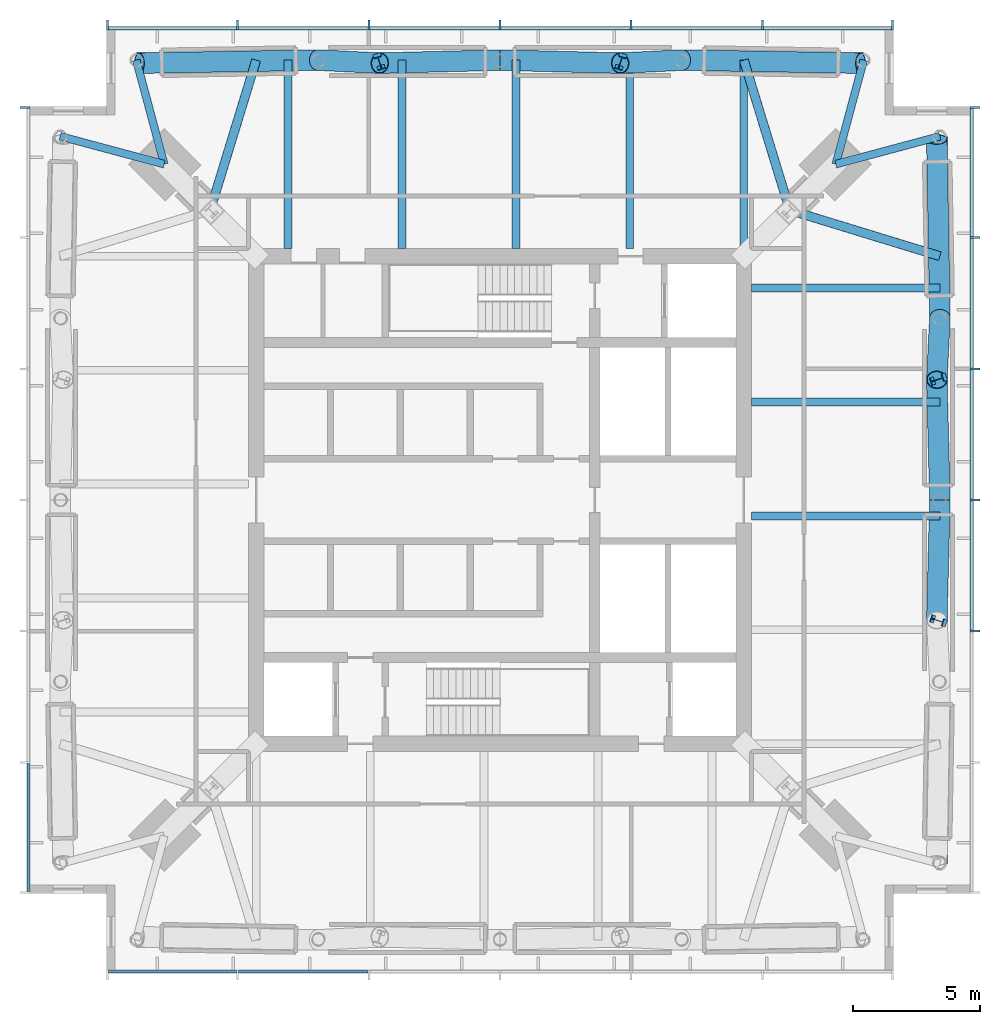
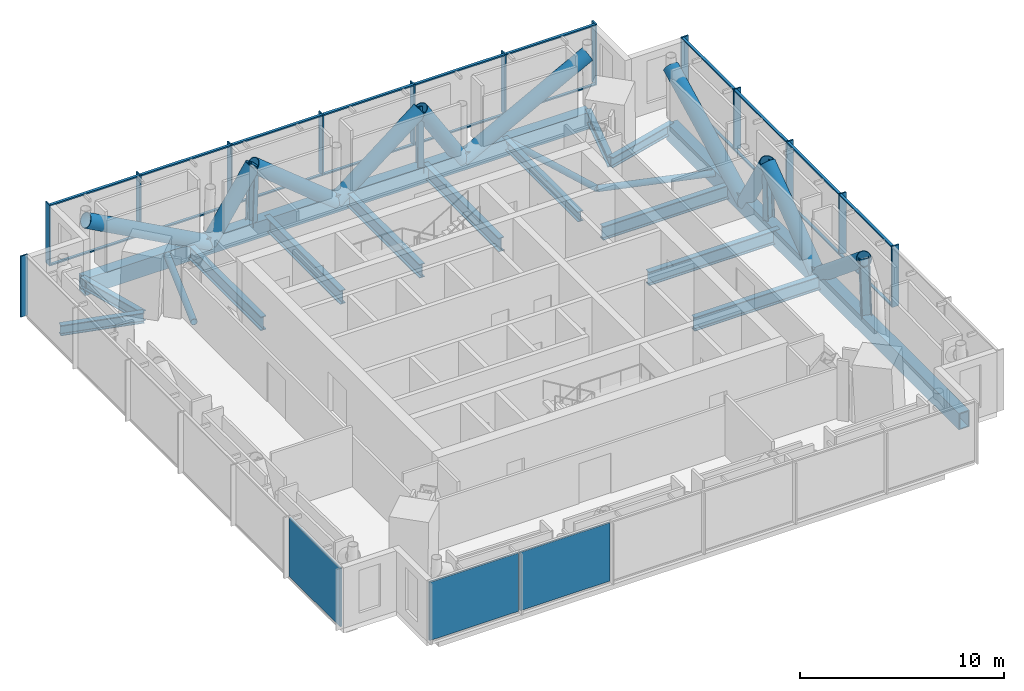
# One storey, part 3 of 8: 52 members, 12 beams, 3 plates, 4 elements without a shape of their own.
"""IFC4 building model written with IfcOpenShell, lengths in metres."""

from ifc_helpers import new_model, si_unit, direction, frame, origin, origin_2d, place, context, subcontext, project, spatial, rectangle, hollow_rectangle, hollow_circle, i_section, extrude, material, layer, layer_set, material_profile, profile_set, type_object, element, aggregate, save


model = new_model("IFC4")

# Units and contexts
model_context = context("Model", 3, precision=1e-05, world=origin(), true_north=direction((0.0, 1.0)))
body_context = subcontext(model_context, "Body", "Model", "MODEL_VIEW")
ifc_project = project(units=[si_unit("LENGTHUNIT", "METRE"), si_unit("AREAUNIT", "SQUARE_METRE"), si_unit("VOLUMEUNIT", "CUBIC_METRE"), si_unit("PLANEANGLEUNIT", "RADIAN"), si_unit("MASSUNIT", "GRAM", prefix="KILO")], contexts=[model_context])

# Site, building, storey
site_placement = place(None, origin())
site = spatial("IfcSite", under=ifc_project, at=site_placement, CompositionType="ELEMENT")
building_placement = place(site_placement, origin())
building = spatial("IfcBuilding", under=site, at=building_placement, Name="Ostroluk Exchange", CompositionType="ELEMENT")
storey_placement = place(building_placement, frame((0.0, 0.0, 230.0)))
storey = spatial("IfcBuildingStorey", under=building, at=storey_placement, Name="L59", CompositionType="ELEMENT", Elevation=230.0)

# Members
ifc_material_1 = material(Name="Steel S460", Category="steel")
ifc_material_profile_1 = material_profile(ifc_material_1, hollow_rectangle(XDim=0.60009765625, YDim=1.0, WallThickness=0.06005859375, at=origin_2d()), Name="BOX 600x1000x60")
ifc_profile_set_1 = profile_set([ifc_material_profile_1], Name="Steel S460")
member_type_1 = type_object("IfcMemberType", Name="Belt truss chord BOX 600x1000x60", PredefinedType="CHORD", material=ifc_profile_set_1)
for number, where, z_axis, x_axis, name in (
    (1, (62.321533203125, 31.678466796875, -0.780029296875), (0.0, 1.0, 0.0), (-1.0, 0.0, 0.0), "Belt truss 3 east chord 2"),
    (2, (59.321533203125, 63.321533203125, -0.780029296875), (-1.0, 0.0, 0.0), (0.0, -1.0, 0.0), "Belt truss 3 north chord 2"),
):
    element("IfcMember", number, at=place(storey_placement, frame(where, z_axis=z_axis, x_axis=x_axis)), inside=storey, type_object=member_type_1, Name=name, PredefinedType="CHORD", context=body_context, shape_type="SweptSolid", body=[
        extrude(hollow_rectangle(XDim=0.60009765625, YDim=1.0, WallThickness=0.06005859375, at=origin_2d()), origin(), (0.0, 0.0, 1.0), 28.64306640625),
    ])
ifc_material_2 = material(Name="Steel S460", Category="steel")
ifc_material_profile_2 = material_profile(ifc_material_2, hollow_circle(Radius=0.406494140625, WallThickness=0.030029296875, at=origin_2d()), Name="CHS 813x30")
ifc_profile_set_2 = profile_set([ifc_material_profile_2], Name="Steel S460")
member_type_2 = type_object("IfcMemberType", Name="Belt truss diagonal CHS 813x30", PredefinedType="BRACE", material=ifc_profile_set_2)
for number, where, z_axis, x_axis, name in (
    (3, (62.321533203125, 46.0, -0.780029296875), (-0.01986082351, -0.773216157061, 0.633831461944), (0.999670278071, -0.0256775221, 0.0), "Belt truss 3 east diagonal 2.3"),
    (4, (62.321533203125, 46.0, -0.780029296875), (-0.01986082351, 0.773216157061, 0.633831461944), (-0.999670278071, -0.0256775221, 0.0), "Belt truss 3 east diagonal 2.4"),
):
    element("IfcMember", number, at=place(storey_placement, frame(where, z_axis=z_axis, x_axis=x_axis)), inside=storey, type_object=member_type_2, Name=name, PredefinedType="BRACE", context=body_context, shape_type="SweptSolid", body=[
        extrude(hollow_circle(Radius=0.406494140625, WallThickness=0.030029296875, at=origin_2d()), origin(), (0.0, 0.0, 1.0), 6.12158203125),
    ])
member_1_placement = place(storey_placement, frame((62.321533203125, 53.16064453125, -0.780029296875), z_axis=(-0.026555607306, -0.530152304888, 0.84748647974), x_axis=(0.998747825495, -0.050027802967, 0.0)))
element("IfcMember", 5, at=member_1_placement, inside=storey, type_object=member_type_2, Name="Belt truss 3 east diagonal 2.5", PredefinedType="BRACE", context=body_context, shape_type="SweptSolid", body=[
    extrude(hollow_circle(Radius=0.406494140625, WallThickness=0.030029296875, at=origin_2d()), origin(), (0.0, 0.0, 1.0), 4.578369140625),
])
for number, where, z_axis, x_axis, name in (
    (6, (62.321533203125, 53.16064453125, -0.780029296875), (-0.015124435681, 0.875668381529, 0.482676016635), (-0.999850874514, -0.017269300299, 0.0), "Belt truss 3 east diagonal 2.6"),
    (7, (52.16064453125, 63.321533203125, -0.780029296875), (0.875668381529, -0.015124435681, 0.482676016635), (0.017269300299, 0.999850874514, 0.0), "Belt truss 3 north diagonal 2.1"),
):
    element("IfcMember", number, at=place(storey_placement, frame(where, z_axis=z_axis, x_axis=x_axis)), inside=storey, type_object=member_type_2, Name=name, PredefinedType="BRACE", context=body_context, shape_type="SweptSolid", body=[
        extrude(hollow_circle(Radius=0.406494140625, WallThickness=0.030029296875, at=origin_2d()), origin(), (0.0, 0.0, 1.0), 8.038818359375),
    ])
member_2_placement = place(storey_placement, frame((52.16064453125, 63.321533203125, -0.780029296875), z_axis=(-0.530152304888, -0.026555607306, 0.84748647974), x_axis=(0.050027802967, -0.998747825495, 0.0)))
element("IfcMember", 8, at=member_2_placement, inside=storey, type_object=member_type_2, Name="Belt truss 3 north diagonal 2.2", PredefinedType="BRACE", context=body_context, shape_type="SweptSolid", body=[
    extrude(hollow_circle(Radius=0.406494140625, WallThickness=0.030029296875, at=origin_2d()), origin(), (0.0, 0.0, 1.0), 4.578369140625),
])
for number, where, z_axis, x_axis, name in (
    (9, (45.0, 63.321533203125, -0.780029296875), (0.773216157061, -0.01986082351, 0.633831461944), (0.0256775221, 0.999670278071, 0.0), "Belt truss 3 north diagonal 2.3"),
    (10, (45.0, 63.321533203125, -0.780029296875), (-0.773216157061, -0.01986082351, 0.633831461944), (0.0256775221, -0.999670278071, 0.0), "Belt truss 3 north diagonal 2.4"),
):
    element("IfcMember", number, at=place(storey_placement, frame(where, z_axis=z_axis, x_axis=x_axis)), inside=storey, type_object=member_type_2, Name=name, PredefinedType="BRACE", context=body_context, shape_type="SweptSolid", body=[
        extrude(hollow_circle(Radius=0.406494140625, WallThickness=0.030029296875, at=origin_2d()), origin(), (0.0, 0.0, 1.0), 6.12158203125),
    ])
member_3_placement = place(storey_placement, frame((37.83935546875, 63.321533203125, -0.780029296875), z_axis=(0.530152304888, -0.026555607306, 0.84748647974), x_axis=(0.050027802967, 0.998747825495, 0.0)))
element("IfcMember", 11, at=member_3_placement, inside=storey, type_object=member_type_2, Name="Belt truss 3 north diagonal 2.5", PredefinedType="BRACE", context=body_context, shape_type="SweptSolid", body=[
    extrude(hollow_circle(Radius=0.406494140625, WallThickness=0.030029296875, at=origin_2d()), origin(), (0.0, 0.0, 1.0), 4.578369140625),
])
member_4_placement = place(storey_placement, frame((37.83935546875, 63.321533203125, -0.780029296875), z_axis=(-0.875668381529, -0.015124435681, 0.482676016635), x_axis=(0.017269300299, -0.999850874514, 0.0)))
element("IfcMember", 12, at=member_4_placement, inside=storey, type_object=member_type_2, Name="Belt truss 3 north diagonal 2.6", PredefinedType="BRACE", context=body_context, shape_type="SweptSolid", body=[
    extrude(hollow_circle(Radius=0.406494140625, WallThickness=0.030029296875, at=origin_2d()), origin(), (0.0, 0.0, 1.0), 8.038818359375),
])
ifc_material_3 = material(Name="Steel S460", Category="steel")
ifc_material_profile_3 = material_profile(ifc_material_3, i_section(OverallWidth=0.305908203125, OverallDepth=0.52392578125, WebThickness=0.02099609375, FlangeThickness=0.0400390625, FilletRadius=0.027099609375, at=origin_2d()), Name="HEM 500")
ifc_profile_set_3 = profile_set([ifc_material_profile_3], Name="Steel S460")
member_type_3 = type_object("IfcMemberType", Name="Belt truss post HEM 500", PredefinedType="POST", material=ifc_profile_set_3)
for number, where, z_axis, x_axis, name in (
    (13, (62.321533203125, 41.22607421875, -0.780029296875), (-0.031317471578, 0.010439157193, 0.999454971457), (-0.316227766017, -0.948683298051, 0.0), "Belt truss 3 east post 2.2"),
    (14, (62.321533203125, 50.77392578125, -0.780029296875), (-0.031317471578, -0.010439157193, 0.999454971457), (0.316227766017, -0.948683298051, 0.0), "Belt truss 3 east post 2.4"),
    (15, (49.77392578125, 63.321533203125, -0.780029296875), (-0.010439157193, -0.031317471578, 0.999454971457), (0.948683298051, -0.316227766017, 0.0), "Belt truss 3 north post 2.2"),
    (16, (40.22607421875, 63.321533203125, -0.780029296875), (0.010439157193, -0.031317471578, 0.999454971457), (0.948683298051, 0.316227766017, 0.0), "Belt truss 3 north post 2.4"),
):
    element("IfcMember", number, at=place(storey_placement, frame(where, z_axis=z_axis, x_axis=x_axis)), inside=storey, type_object=member_type_3, Name=name, PredefinedType="POST", context=body_context, shape_type="SweptSolid", body=[
        extrude(i_section(OverallWidth=0.305908203125, OverallDepth=0.52392578125, WebThickness=0.02099609375, FlangeThickness=0.0400390625, FilletRadius=0.027099609375, at=origin_2d()), origin(), (0.0, 0.0, 1.0), 3.88232421875),
    ])

# Beams
ifc_material_4 = material(Name="Steel S460", Category="steel")
ifc_material_profile_4 = material_profile(ifc_material_4, i_section(OverallWidth=0.304931640625, OverallDepth=0.6201171875, WebThickness=0.02099609375, FlangeThickness=0.0400390625, FilletRadius=0.027099609375, at=origin_2d()), Name="HEM 600")
ifc_profile_set_4 = profile_set([ifc_material_profile_4], Name="Steel S460")
beam_type_1 = type_object("IfcBeamType", Name="Corner edge beam HEM 600", PredefinedType="SPANDREL", material=ifc_profile_set_4)
for number, where, z_axis, x_axis, name in (
    (17, (58.221435546875, 59.221435546875, -0.590087890625), (0.965838624319, 0.259144268261, 0.0), (-0.259144268261, 0.965838624319, 0.0), "T1 east corner edge beam a"),
    (18, (58.221435546875, 59.221435546875, -0.590087890625), (0.259144268261, 0.965838624319, 0.0), (-0.965838624319, 0.259144268261, 0.0), "T1 east corner edge beam b"),
    (19, (31.778564453125, 59.221435546875, -0.590087890625), (-0.259144268261, 0.965838624319, 0.0), (-0.965838624319, -0.259144268261, 0.0), "T1 north corner edge beam a"),
    (20, (31.778564453125, 59.221435546875, -0.590087890625), (-0.965838624319, 0.259144268261, 0.0), (-0.259144268261, -0.965838624319, 0.0), "T1 north corner edge beam b"),
):
    element("IfcBeam", number, at=place(storey_placement, frame(where, z_axis=z_axis, x_axis=x_axis)), inside=storey, type_object=beam_type_1, Name=name, PredefinedType="SPANDREL", context=body_context, shape_type="SweptSolid", body=[
        extrude(i_section(OverallWidth=0.304931640625, OverallDepth=0.6201171875, WebThickness=0.02099609375, FlangeThickness=0.0400390625, FilletRadius=0.027099609375, at=origin_2d()), origin(), (0.0, 0.0, 1.0), 4.2451171875),
    ])
ifc_material_5 = material(Name="Steel S355", Category="steel")
ifc_material_profile_5 = material_profile(ifc_material_5, i_section(OverallWidth=0.302978515625, OverallDepth=0.81396484375, WebThickness=0.02099609375, FlangeThickness=0.0400390625, FilletRadius=0.030029296875, at=origin_2d()), Name="HEM 800")
ifc_profile_set_5 = profile_set([ifc_material_profile_5], Name="Steel S355")
beam_type_2 = type_object("IfcBeamType", Name="Floor beam HEM 800", PredefinedType="BEAM", material=ifc_profile_set_5)
for number, where, z_axis, x_axis, name in (
    (21, (54.89990234375, 45.373779296875, -0.68701171875), (1.0, 0.0, 0.0), (0.0, 1.0, 0.0), "T1 east floor beam 2"),
    (22, (54.89990234375, 49.860595703125, -0.68701171875), (1.0, 0.0, 0.0), (0.0, 1.0, 0.0), "T1 east floor beam 3"),
    (23, (54.89990234375, 54.34765625, -0.68701171875), (1.0, 0.0, 0.0), (0.0, 1.0, 0.0), "T1 east floor beam 4"),
    (24, (50.113037109375, 55.89990234375, -0.68701171875), (0.0, 1.0, 0.0), (-1.0, 0.0, 0.0), "T1 north floor beam 1"),
    (25, (45.626220703125, 55.89990234375, -0.68701171875), (0.0, 1.0, 0.0), (-1.0, 0.0, 0.0), "T1 north floor beam 2"),
    (26, (41.139404296875, 55.89990234375, -0.68701171875), (0.0, 1.0, 0.0), (-1.0, 0.0, 0.0), "T1 north floor beam 3"),
    (27, (36.65234375, 55.89990234375, -0.68701171875), (0.0, 1.0, 0.0), (-1.0, 0.0, 0.0), "T1 north floor beam 4"),
):
    element("IfcBeam", number, at=place(storey_placement, frame(where, z_axis=z_axis, x_axis=x_axis)), inside=storey, type_object=beam_type_2, Name=name, PredefinedType="BEAM", context=body_context, shape_type="SweptSolid", body=[
        extrude(i_section(OverallWidth=0.302978515625, OverallDepth=0.81396484375, WebThickness=0.02099609375, FlangeThickness=0.0400390625, FilletRadius=0.030029296875, at=origin_2d()), origin(), (0.0, 0.0, 1.0), 7.421630859375),
    ])
ifc_material_6 = material(Name="Steel S355", Category="steel")
ifc_material_profile_6 = material_profile(ifc_material_6, i_section(OverallWidth=0.300048828125, OverallDepth=0.60009765625, WebThickness=0.015380859375, FlangeThickness=0.030029296875, FilletRadius=0.027099609375, at=origin_2d()), Name="HEB 600")
ifc_profile_set_6 = profile_set([ifc_material_profile_6], Name="Steel S355")
beam_type_3 = type_object("IfcBeamType", Name="Girder HEB 600", PredefinedType="BEAM", material=ifc_profile_set_6)
beam_placement = place(storey_placement, frame((54.60009765625, 55.89990234375, -0.580078125), z_axis=(0.0, 1.0, 0.0), x_axis=(-1.0, 0.0, 0.0)))
element("IfcBeam", 28, at=beam_placement, inside=storey, type_object=beam_type_3, Name="T1 east girder", PredefinedType="BEAM", context=body_context, shape_type="SweptSolid", body=[
    extrude(i_section(OverallWidth=0.300048828125, OverallDepth=0.60009765625, WebThickness=0.015380859375, FlangeThickness=0.030029296875, FilletRadius=0.027099609375, at=origin_2d()), origin(), (0.0, 0.0, 1.0), 7.421630859375),
])

# Members
ifc_material_7 = material(Name="Steel S460", Category="steel")
ifc_material_profile_7 = material_profile(ifc_material_7, hollow_circle(Radius=0.177734375, WallThickness=0.012451171875, at=origin_2d()), Name="CHS 355.6x12.5")
ifc_profile_set_7 = profile_set([ifc_material_profile_7], Name="Steel S460")
member_type_4 = type_object("IfcMemberType", Name="Plan bracing CHS 355.6x12.5", PredefinedType="BRACE", material=ifc_profile_set_7)
for number, where, z_axis, x_axis, name in (
    (29, (56.41064453125, 57.41064453125, -0.457763671875), (0.956150538789, -0.292875651384, 0.0), (0.292875651384, 0.956150538789, 0.0), "Plan bracing L59 NE a"),
    (30, (56.41064453125, 57.41064453125, -0.457763671875), (-0.292875651384, 0.956150538789, 0.0), (-0.956150538789, -0.292875651384, 0.0), "Plan bracing L59 NE b"),
    (31, (33.58935546875, 57.41064453125, -0.457763671875), (0.292875651384, 0.956150538789, 0.0), (-0.956150538789, 0.292875651384, 0.0), "Plan bracing L59 NW a"),
):
    element("IfcMember", number, at=place(storey_placement, frame(where, z_axis=z_axis, x_axis=x_axis)), inside=storey, type_object=member_type_4, Name=name, PredefinedType="BRACE", context=body_context, shape_type="SweptSolid", body=[
        extrude(hollow_circle(Radius=0.177734375, WallThickness=0.012451171875, at=origin_2d()), origin(), (0.0, 0.0, 1.0), 6.181884765625),
    ])

# Curtain wall, members
ifc_material_8 = material(Name="Laminated clear glass", Category="glass")
curtain_wall_type = type_object("IfcCurtainWallType", Name="Office tower plant and sky lobby facade", PredefinedType="USERDEFINED", material=ifc_material_8)
curtain_wall_1_placement = place(storey_placement, origin())
curtain_wall_1 = element("IfcCurtainWall", 32, at=curtain_wall_1_placement, inside=storey, type_object=curtain_wall_type, Name="Office tower east facade L59", ObjectType="LOUVRED CURTAIN WALL", PredefinedType="USERDEFINED")
ifc_material_9 = material(Name="Aluminium mullion", Category="aluminium")
ifc_material_profile_8 = material_profile(ifc_material_9, rectangle(XDim=0.14990234375, YDim=0.080078125, at=origin_2d()), Name="Sill transom 80 x 150")
ifc_profile_set_8 = profile_set([ifc_material_profile_8], Name="Aluminium mullion")
member_type_5 = type_object("IfcMemberType", Name="Sill transom 80 x 150", PredefinedType="USERDEFINED", material=ifc_profile_set_8)
member_5_placement = place(storey_placement, frame((63.574951171875, 40.873291015625, 0.0400390625), z_axis=(0.0, 1.0, 0.0), x_axis=(-1.0, 0.0, 0.0)))
member_5 = element("IfcMember", 33, at=member_5_placement, type_object=member_type_5, Name="CW-P1 transom 3.1", ObjectType="TRANSOM", PredefinedType="USERDEFINED", context=body_context, shape_type="SweptSolid", body=[
    extrude(rectangle(XDim=0.14990234375, YDim=0.080078125, at=origin_2d()), origin(), (0.0, 0.0, 1.0), 5.086669921875),
])
member_6_placement = place(storey_placement, frame((63.574951171875, 40.873291015625, 3.610107421875), z_axis=(0.0, 1.0, 0.0), x_axis=(-1.0, 0.0, 0.0)))
member_6 = element("IfcMember", 34, at=member_6_placement, type_object=member_type_5, Name="CW-P1 transom 3.2", ObjectType="TRANSOM", PredefinedType="USERDEFINED", context=body_context, shape_type="SweptSolid", body=[
    extrude(rectangle(XDim=0.14990234375, YDim=0.080078125, at=origin_2d()), origin(), (0.0, 0.0, 1.0), 5.086669921875),
])
member_7_placement = place(storey_placement, frame((63.574951171875, 46.0400390625, 0.0400390625), z_axis=(0.0, 1.0, 0.0), x_axis=(-1.0, 0.0, 0.0)))
member_7 = element("IfcMember", 35, at=member_7_placement, type_object=member_type_5, Name="CW-P1 transom 4.1", ObjectType="TRANSOM", PredefinedType="USERDEFINED", context=body_context, shape_type="SweptSolid", body=[
    extrude(rectangle(XDim=0.14990234375, YDim=0.080078125, at=origin_2d()), origin(), (0.0, 0.0, 1.0), 5.086669921875),
])
member_8_placement = place(storey_placement, frame((63.574951171875, 46.0400390625, 3.610107421875), z_axis=(0.0, 1.0, 0.0), x_axis=(-1.0, 0.0, 0.0)))
member_8 = element("IfcMember", 36, at=member_8_placement, type_object=member_type_5, Name="CW-P1 transom 4.2", ObjectType="TRANSOM", PredefinedType="USERDEFINED", context=body_context, shape_type="SweptSolid", body=[
    extrude(rectangle(XDim=0.14990234375, YDim=0.080078125, at=origin_2d()), origin(), (0.0, 0.0, 1.0), 5.086669921875),
])
member_9_placement = place(storey_placement, frame((63.574951171875, 51.206787109375, 0.0400390625), z_axis=(0.0, 1.0, 0.0), x_axis=(-1.0, 0.0, 0.0)))
member_9 = element("IfcMember", 37, at=member_9_placement, type_object=member_type_5, Name="CW-P1 transom 5.1", ObjectType="TRANSOM", PredefinedType="USERDEFINED", context=body_context, shape_type="SweptSolid", body=[
    extrude(rectangle(XDim=0.14990234375, YDim=0.080078125, at=origin_2d()), origin(), (0.0, 0.0, 1.0), 5.08642578125),
])
member_10_placement = place(storey_placement, frame((63.574951171875, 51.206787109375, 3.610107421875), z_axis=(0.0, 1.0, 0.0), x_axis=(-1.0, 0.0, 0.0)))
member_10 = element("IfcMember", 38, at=member_10_placement, type_object=member_type_5, Name="CW-P1 transom 5.2", ObjectType="TRANSOM", PredefinedType="USERDEFINED", context=body_context, shape_type="SweptSolid", body=[
    extrude(rectangle(XDim=0.14990234375, YDim=0.080078125, at=origin_2d()), origin(), (0.0, 0.0, 1.0), 5.08642578125),
])
member_11_placement = place(storey_placement, frame((63.574951171875, 56.373291015625, 0.0400390625), z_axis=(0.0, 1.0, 0.0), x_axis=(-1.0, 0.0, 0.0)))
member_11 = element("IfcMember", 39, at=member_11_placement, type_object=member_type_5, Name="CW-P1 transom 6.1", ObjectType="TRANSOM", PredefinedType="USERDEFINED", context=body_context, shape_type="SweptSolid", body=[
    extrude(rectangle(XDim=0.14990234375, YDim=0.080078125, at=origin_2d()), origin(), (0.0, 0.0, 1.0), 5.046630859375),
])
member_12_placement = place(storey_placement, frame((63.574951171875, 56.373291015625, 3.610107421875), z_axis=(0.0, 1.0, 0.0), x_axis=(-1.0, 0.0, 0.0)))
member_12 = element("IfcMember", 40, at=member_12_placement, type_object=member_type_5, Name="CW-P1 transom 6.2", ObjectType="TRANSOM", PredefinedType="USERDEFINED", context=body_context, shape_type="SweptSolid", body=[
    extrude(rectangle(XDim=0.14990234375, YDim=0.080078125, at=origin_2d()), origin(), (0.0, 0.0, 1.0), 5.046630859375),
])

curtain_wall_2_placement = place(storey_placement, origin())
curtain_wall_2 = element("IfcCurtainWall", 41, at=curtain_wall_2_placement, inside=storey, type_object=curtain_wall_type, Name="Office tower north facade L59", ObjectType="LOUVRED CURTAIN WALL", PredefinedType="USERDEFINED")
member_13_placement = place(storey_placement, frame((60.419921875, 64.574951171875, 0.0400390625), z_axis=(-1.0, 0.0, 0.0), x_axis=(0.0, -1.0, 0.0)))
member_13 = element("IfcMember", 42, at=member_13_placement, type_object=member_type_5, Name="CW-P1 transom 1.1", ObjectType="TRANSOM", PredefinedType="USERDEFINED", context=body_context, shape_type="SweptSolid", body=[
    extrude(rectangle(XDim=0.14990234375, YDim=0.080078125, at=origin_2d()), origin(), (0.0, 0.0, 1.0), 5.046630859375),
])
member_14_placement = place(storey_placement, frame((60.419921875, 64.574951171875, 3.610107421875), z_axis=(-1.0, 0.0, 0.0), x_axis=(0.0, -1.0, 0.0)))
member_14 = element("IfcMember", 43, at=member_14_placement, type_object=member_type_5, Name="CW-P1 transom 1.2", ObjectType="TRANSOM", PredefinedType="USERDEFINED", context=body_context, shape_type="SweptSolid", body=[
    extrude(rectangle(XDim=0.14990234375, YDim=0.080078125, at=origin_2d()), origin(), (0.0, 0.0, 1.0), 5.046630859375),
])
member_15_placement = place(storey_placement, frame((55.293212890625, 64.574951171875, 0.0400390625), z_axis=(-1.0, 0.0, 0.0), x_axis=(0.0, -1.0, 0.0)))
member_15 = element("IfcMember", 44, at=member_15_placement, type_object=member_type_5, Name="CW-P1 transom 2.1", ObjectType="TRANSOM", PredefinedType="USERDEFINED", context=body_context, shape_type="SweptSolid", body=[
    extrude(rectangle(XDim=0.14990234375, YDim=0.080078125, at=origin_2d()), origin(), (0.0, 0.0, 1.0), 5.08642578125),
])
member_16_placement = place(storey_placement, frame((55.293212890625, 64.574951171875, 3.610107421875), z_axis=(-1.0, 0.0, 0.0), x_axis=(0.0, -1.0, 0.0)))
member_16 = element("IfcMember", 45, at=member_16_placement, type_object=member_type_5, Name="CW-P1 transom 2.2", ObjectType="TRANSOM", PredefinedType="USERDEFINED", context=body_context, shape_type="SweptSolid", body=[
    extrude(rectangle(XDim=0.14990234375, YDim=0.080078125, at=origin_2d()), origin(), (0.0, 0.0, 1.0), 5.08642578125),
])
member_17_placement = place(storey_placement, frame((50.126708984375, 64.574951171875, 0.0400390625), z_axis=(-1.0, 0.0, 0.0), x_axis=(0.0, -1.0, 0.0)))
member_17 = element("IfcMember", 46, at=member_17_placement, type_object=member_type_5, Name="CW-P1 transom 3.1", ObjectType="TRANSOM", PredefinedType="USERDEFINED", context=body_context, shape_type="SweptSolid", body=[
    extrude(rectangle(XDim=0.14990234375, YDim=0.080078125, at=origin_2d()), origin(), (0.0, 0.0, 1.0), 5.086669921875),
])
member_18_placement = place(storey_placement, frame((50.126708984375, 64.574951171875, 3.610107421875), z_axis=(-1.0, 0.0, 0.0), x_axis=(0.0, -1.0, 0.0)))
member_18 = element("IfcMember", 47, at=member_18_placement, type_object=member_type_5, Name="CW-P1 transom 3.2", ObjectType="TRANSOM", PredefinedType="USERDEFINED", context=body_context, shape_type="SweptSolid", body=[
    extrude(rectangle(XDim=0.14990234375, YDim=0.080078125, at=origin_2d()), origin(), (0.0, 0.0, 1.0), 5.086669921875),
])
member_19_placement = place(storey_placement, frame((44.9599609375, 64.574951171875, 0.0400390625), z_axis=(-1.0, 0.0, 0.0), x_axis=(0.0, -1.0, 0.0)))
member_19 = element("IfcMember", 48, at=member_19_placement, type_object=member_type_5, Name="CW-P1 transom 4.1", ObjectType="TRANSOM", PredefinedType="USERDEFINED", context=body_context, shape_type="SweptSolid", body=[
    extrude(rectangle(XDim=0.14990234375, YDim=0.080078125, at=origin_2d()), origin(), (0.0, 0.0, 1.0), 5.086669921875),
])
member_20_placement = place(storey_placement, frame((44.9599609375, 64.574951171875, 3.610107421875), z_axis=(-1.0, 0.0, 0.0), x_axis=(0.0, -1.0, 0.0)))
member_20 = element("IfcMember", 49, at=member_20_placement, type_object=member_type_5, Name="CW-P1 transom 4.2", ObjectType="TRANSOM", PredefinedType="USERDEFINED", context=body_context, shape_type="SweptSolid", body=[
    extrude(rectangle(XDim=0.14990234375, YDim=0.080078125, at=origin_2d()), origin(), (0.0, 0.0, 1.0), 5.086669921875),
])
member_21_placement = place(storey_placement, frame((39.793212890625, 64.574951171875, 0.0400390625), z_axis=(-1.0, 0.0, 0.0), x_axis=(0.0, -1.0, 0.0)))
member_21 = element("IfcMember", 50, at=member_21_placement, type_object=member_type_5, Name="CW-P1 transom 5.1", ObjectType="TRANSOM", PredefinedType="USERDEFINED", context=body_context, shape_type="SweptSolid", body=[
    extrude(rectangle(XDim=0.14990234375, YDim=0.080078125, at=origin_2d()), origin(), (0.0, 0.0, 1.0), 5.08642578125),
])
member_22_placement = place(storey_placement, frame((39.793212890625, 64.574951171875, 3.610107421875), z_axis=(-1.0, 0.0, 0.0), x_axis=(0.0, -1.0, 0.0)))
member_22 = element("IfcMember", 51, at=member_22_placement, type_object=member_type_5, Name="CW-P1 transom 5.2", ObjectType="TRANSOM", PredefinedType="USERDEFINED", context=body_context, shape_type="SweptSolid", body=[
    extrude(rectangle(XDim=0.14990234375, YDim=0.080078125, at=origin_2d()), origin(), (0.0, 0.0, 1.0), 5.08642578125),
])
member_23_placement = place(storey_placement, frame((34.626708984375, 64.574951171875, 0.0400390625), z_axis=(-1.0, 0.0, 0.0), x_axis=(0.0, -1.0, 0.0)))
member_23 = element("IfcMember", 52, at=member_23_placement, type_object=member_type_5, Name="CW-P1 transom 6.1", ObjectType="TRANSOM", PredefinedType="USERDEFINED", context=body_context, shape_type="SweptSolid", body=[
    extrude(rectangle(XDim=0.14990234375, YDim=0.080078125, at=origin_2d()), origin(), (0.0, 0.0, 1.0), 5.046630859375),
])
member_24_placement = place(storey_placement, frame((34.626708984375, 64.574951171875, 3.610107421875), z_axis=(-1.0, 0.0, 0.0), x_axis=(0.0, -1.0, 0.0)))
member_24 = element("IfcMember", 53, at=member_24_placement, type_object=member_type_5, Name="CW-P1 transom 6.2", ObjectType="TRANSOM", PredefinedType="USERDEFINED", context=body_context, shape_type="SweptSolid", body=[
    extrude(rectangle(XDim=0.14990234375, YDim=0.080078125, at=origin_2d()), origin(), (0.0, 0.0, 1.0), 5.046630859375),
])

# Member
ifc_material_10 = material(Name="Aluminium mullion with limestone facing", Category="masonry")
ifc_material_profile_9 = material_profile(ifc_material_10, rectangle(XDim=0.39990234375, YDim=0.080078125, at=origin_2d()), Name="Tracery mullion 80 x 400")
ifc_profile_set_9 = profile_set([ifc_material_profile_9], Name="Aluminium mullion with limestone facing")
member_type_6 = type_object("IfcMemberType", Name="Tracery mullion 80 x 400", PredefinedType="MULLION", material=ifc_profile_set_9)
member_25_placement = place(storey_placement, frame((63.699951171875, 40.833251953125, 0.0), z_axis=(0.0, 0.0, 1.0), x_axis=(-1.0, 0.0, 0.0)))
member_25 = element("IfcMember", 54, at=member_25_placement, type_object=member_type_6, Name="CW-P1 mullion 3", PredefinedType="MULLION", context=body_context, shape_type="SweptSolid", body=[
    extrude(rectangle(XDim=0.39990234375, YDim=0.080078125, at=origin_2d()), origin(), (0.0, 0.0, 1.0), 3.64990234375),
])

member_26_placement = place(storey_placement, frame((63.699951171875, 46.0, 0.0), z_axis=(0.0, 0.0, 1.0), x_axis=(-1.0, 0.0, 0.0)))
member_26 = element("IfcMember", 55, at=member_26_placement, type_object=member_type_6, Name="CW-P1 mullion 4", PredefinedType="MULLION", context=body_context, shape_type="SweptSolid", body=[
    extrude(rectangle(XDim=0.39990234375, YDim=0.080078125, at=origin_2d()), origin(), (0.0, 0.0, 1.0), 3.64990234375),
])

member_27_placement = place(storey_placement, frame((63.699951171875, 51.166748046875, 0.0), z_axis=(0.0, 0.0, 1.0), x_axis=(-1.0, 0.0, 0.0)))
member_27 = element("IfcMember", 56, at=member_27_placement, type_object=member_type_6, Name="CW-P1 mullion 5", PredefinedType="MULLION", context=body_context, shape_type="SweptSolid", body=[
    extrude(rectangle(XDim=0.39990234375, YDim=0.080078125, at=origin_2d()), origin(), (0.0, 0.0, 1.0), 3.64990234375),
])

member_28_placement = place(storey_placement, frame((63.699951171875, 56.333251953125, 0.0), z_axis=(0.0, 0.0, 1.0), x_axis=(-1.0, 0.0, 0.0)))
member_28 = element("IfcMember", 57, at=member_28_placement, type_object=member_type_6, Name="CW-P1 mullion 6", PredefinedType="MULLION", context=body_context, shape_type="SweptSolid", body=[
    extrude(rectangle(XDim=0.39990234375, YDim=0.080078125, at=origin_2d()), origin(), (0.0, 0.0, 1.0), 3.64990234375),
])

member_29_placement = place(storey_placement, frame((63.699951171875, 61.4599609375, 0.0), z_axis=(0.0, 0.0, 1.0), x_axis=(-1.0, 0.0, 0.0)))
member_29 = element("IfcMember", 58, at=member_29_placement, type_object=member_type_6, Name="CW-P1 mullion 7", PredefinedType="MULLION", context=body_context, shape_type="SweptSolid", body=[
    extrude(rectangle(XDim=0.39990234375, YDim=0.080078125, at=origin_2d()), origin(), (0.0, 0.0, 1.0), 3.64990234375),
])

aggregate(curtain_wall_1, [member_25, member_26, member_27, member_28, member_29, member_5, member_6, member_7, member_8, member_9, member_10, member_11, member_12])

member_30_placement = place(storey_placement, frame((60.4599609375, 64.699951171875, 0.0), z_axis=(0.0, 0.0, 1.0), x_axis=(0.0, -1.0, 0.0)))
member_30 = element("IfcMember", 59, at=member_30_placement, type_object=member_type_6, Name="CW-P1 mullion 1", PredefinedType="MULLION", context=body_context, shape_type="SweptSolid", body=[
    extrude(rectangle(XDim=0.39990234375, YDim=0.080078125, at=origin_2d()), origin(), (0.0, 0.0, 1.0), 3.64990234375),
])

member_31_placement = place(storey_placement, frame((55.333251953125, 64.699951171875, 0.0), z_axis=(0.0, 0.0, 1.0), x_axis=(0.0, -1.0, 0.0)))
member_31 = element("IfcMember", 60, at=member_31_placement, type_object=member_type_6, Name="CW-P1 mullion 2", PredefinedType="MULLION", context=body_context, shape_type="SweptSolid", body=[
    extrude(rectangle(XDim=0.39990234375, YDim=0.080078125, at=origin_2d()), origin(), (0.0, 0.0, 1.0), 3.64990234375),
])

member_32_placement = place(storey_placement, frame((50.166748046875, 64.699951171875, 0.0), z_axis=(0.0, 0.0, 1.0), x_axis=(0.0, -1.0, 0.0)))
member_32 = element("IfcMember", 61, at=member_32_placement, type_object=member_type_6, Name="CW-P1 mullion 3", PredefinedType="MULLION", context=body_context, shape_type="SweptSolid", body=[
    extrude(rectangle(XDim=0.39990234375, YDim=0.080078125, at=origin_2d()), origin(), (0.0, 0.0, 1.0), 3.64990234375),
])

member_33_placement = place(storey_placement, frame((45.0, 64.699951171875, 0.0), z_axis=(0.0, 0.0, 1.0), x_axis=(0.0, -1.0, 0.0)))
member_33 = element("IfcMember", 62, at=member_33_placement, type_object=member_type_6, Name="CW-P1 mullion 4", PredefinedType="MULLION", context=body_context, shape_type="SweptSolid", body=[
    extrude(rectangle(XDim=0.39990234375, YDim=0.080078125, at=origin_2d()), origin(), (0.0, 0.0, 1.0), 3.64990234375),
])

member_34_placement = place(storey_placement, frame((39.833251953125, 64.699951171875, 0.0), z_axis=(0.0, 0.0, 1.0), x_axis=(0.0, -1.0, 0.0)))
member_34 = element("IfcMember", 63, at=member_34_placement, type_object=member_type_6, Name="CW-P1 mullion 5", PredefinedType="MULLION", context=body_context, shape_type="SweptSolid", body=[
    extrude(rectangle(XDim=0.39990234375, YDim=0.080078125, at=origin_2d()), origin(), (0.0, 0.0, 1.0), 3.64990234375),
])

member_35_placement = place(storey_placement, frame((34.666748046875, 64.699951171875, 0.0), z_axis=(0.0, 0.0, 1.0), x_axis=(0.0, -1.0, 0.0)))
member_35 = element("IfcMember", 64, at=member_35_placement, type_object=member_type_6, Name="CW-P1 mullion 6", PredefinedType="MULLION", context=body_context, shape_type="SweptSolid", body=[
    extrude(rectangle(XDim=0.39990234375, YDim=0.080078125, at=origin_2d()), origin(), (0.0, 0.0, 1.0), 3.64990234375),
])

member_36_placement = place(storey_placement, frame((29.5400390625, 64.699951171875, 0.0), z_axis=(0.0, 0.0, 1.0), x_axis=(0.0, -1.0, 0.0)))
member_36 = element("IfcMember", 65, at=member_36_placement, type_object=member_type_6, Name="CW-P1 mullion 7", PredefinedType="MULLION", context=body_context, shape_type="SweptSolid", body=[
    extrude(rectangle(XDim=0.39990234375, YDim=0.080078125, at=origin_2d()), origin(), (0.0, 0.0, 1.0), 3.64990234375),
])

aggregate(curtain_wall_2, [member_30, member_31, member_32, member_33, member_34, member_35, member_36, member_13, member_14, member_15, member_16, member_17, member_18, member_19, member_20, member_21, member_22, member_23, member_24])

# Curtain wall, member
curtain_wall_3_placement = place(storey_placement, origin())
curtain_wall_3 = element("IfcCurtainWall", 66, at=curtain_wall_3_placement, inside=storey, type_object=curtain_wall_type, Name="Office tower west facade L59", ObjectType="LOUVRED CURTAIN WALL", PredefinedType="USERDEFINED")
member_37_placement = place(storey_placement, frame((26.300048828125, 61.4599609375, 0.0), z_axis=(0.0, 0.0, 1.0), x_axis=(1.0, 0.0, 0.0)))
member_37 = element("IfcMember", 67, at=member_37_placement, type_object=member_type_6, Name="CW-P1 mullion 1", PredefinedType="MULLION", context=body_context, shape_type="SweptSolid", body=[
    extrude(rectangle(XDim=0.39990234375, YDim=0.080078125, at=origin_2d()), origin(), (0.0, 0.0, 1.0), 3.64990234375),
])

# Curtain wall, plates
curtain_wall_4_placement = place(storey_placement, origin())
curtain_wall_4 = element("IfcCurtainWall", 68, at=curtain_wall_4_placement, inside=storey, type_object=curtain_wall_type, Name="Office tower south facade L59", ObjectType="LOUVRED CURTAIN WALL", PredefinedType="USERDEFINED")
ifc_material_11 = material(Name="Aluminium louvre", Category="aluminium")
ifc_layer = layer(ifc_material_11, 0.10009765625)
ifc_layer_set = layer_set([ifc_layer], Name="Aluminium louvre panel 100")
plate_type = type_object("IfcPlateType", Name="Aluminium louvre panel 100", PredefinedType="USERDEFINED", material=ifc_layer_set)
plate_1_placement = place(storey_placement, frame((32.103271484375, 27.425048828125, 0.080078125), z_axis=(0.0, 0.0, 1.0), x_axis=(1.0, 0.0, 0.0)))
plate_1 = element("IfcPlate", 69, at=plate_1_placement, type_object=plate_type, Name="CW-P1 panel 1.1", ObjectType="LOUVRE PANEL", PredefinedType="USERDEFINED", context=body_context, shape_type="SweptSolid", body=[
    extrude(rectangle(XDim=5.046630859375, YDim=0.10009765625, at=origin_2d()), origin(), (0.0, 0.0, 1.0), 3.489990234375),
])
plate_2_placement = place(storey_placement, frame((37.25, 27.425048828125, 0.080078125), z_axis=(0.0, 0.0, 1.0), x_axis=(1.0, 0.0, 0.0)))
plate_2 = element("IfcPlate", 70, at=plate_2_placement, type_object=plate_type, Name="CW-P1 panel 2.1", ObjectType="LOUVRE PANEL", PredefinedType="USERDEFINED", context=body_context, shape_type="SweptSolid", body=[
    extrude(rectangle(XDim=5.086669921875, YDim=0.10009765625, at=origin_2d()), origin(), (0.0, 0.0, 1.0), 3.489990234375),
])
aggregate(curtain_wall_4, [plate_1, plate_2])

# Plate
plate_3_placement = place(storey_placement, frame((26.425048828125, 33.103271484375, 0.080078125), z_axis=(0.0, 0.0, 1.0), x_axis=(0.0, -1.0, 0.0)))
plate_3 = element("IfcPlate", 71, at=plate_3_placement, type_object=plate_type, Name="CW-P1 panel 6.1", ObjectType="LOUVRE PANEL", PredefinedType="USERDEFINED", context=body_context, shape_type="SweptSolid", body=[
    extrude(rectangle(XDim=5.046630859375, YDim=0.10009765625, at=origin_2d()), origin(), (0.0, 0.0, 1.0), 3.489990234375),
])

aggregate(curtain_wall_3, [member_37, plate_3])

save(model, "model.ifc")
